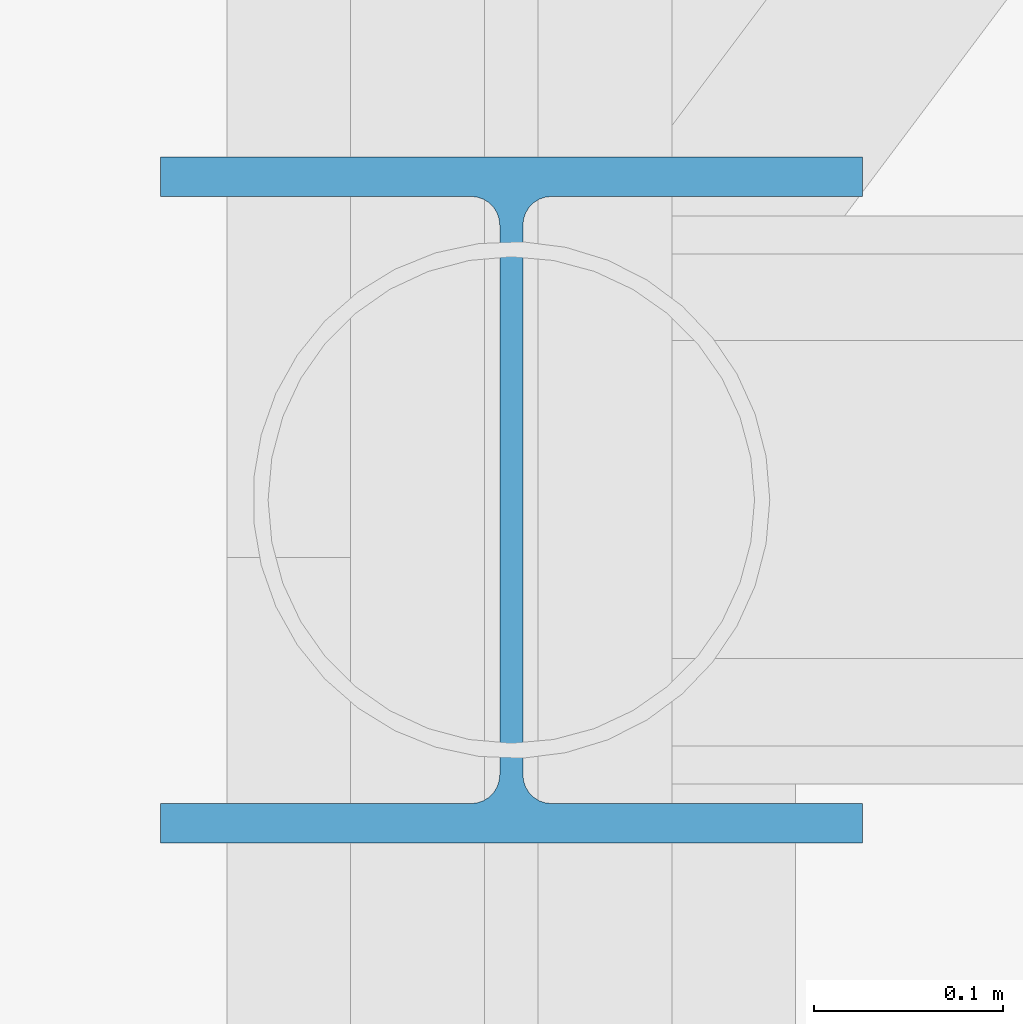
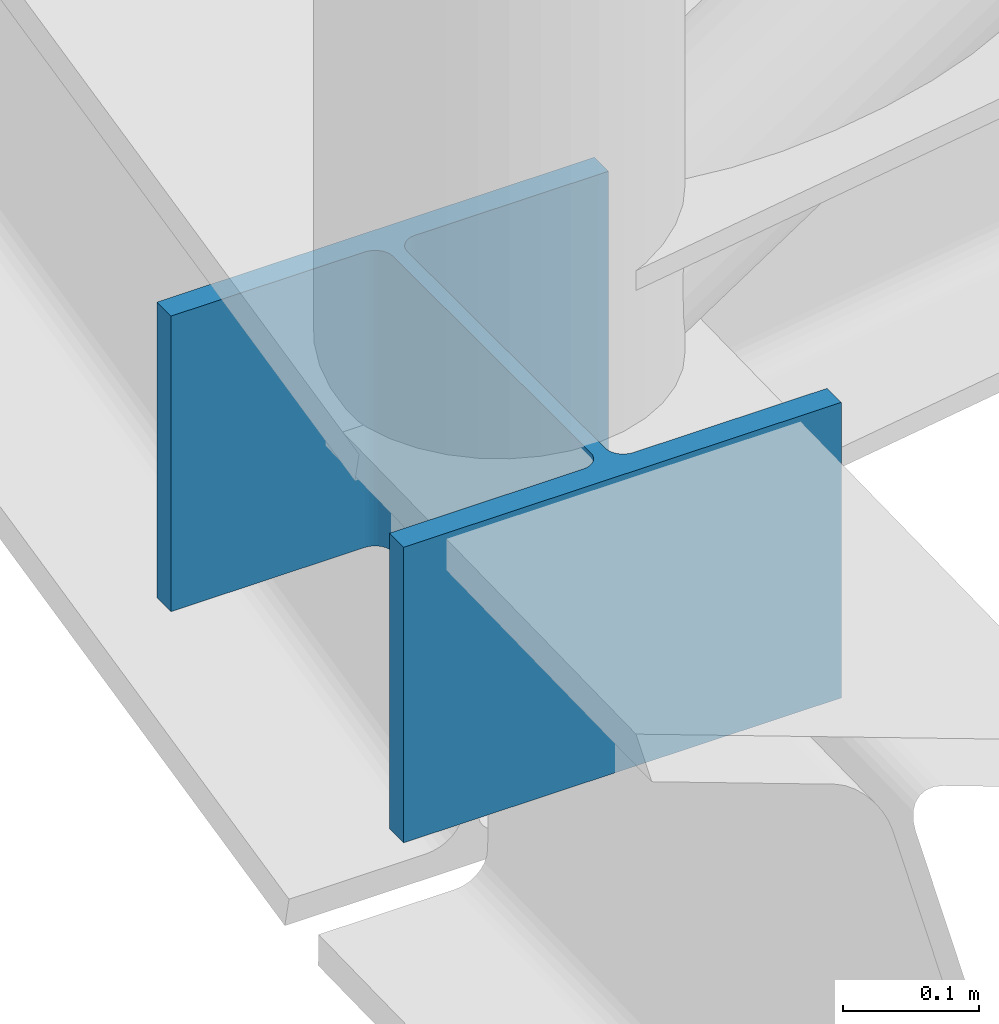
# One storey, part 15 of 262: 1 column.
"""IFC4 building model written with IfcOpenShell, lengths in metres."""

from ifc_helpers import new_model, si_unit, derived_unit, direction, frame, origin, origin_2d, place, context, subcontext, project, spatial, i_section, extrude, material, material_profile, profile_set, type_object, element, save


model = new_model("IFC4")

# Units and contexts
model_context = context("Model", 3, precision=1e-05, world=origin(), true_north=direction((0.0, 1.0)))
body_context = subcontext(model_context, "Body", "Model", "MODEL_VIEW")
ifc_project = project(units=[si_unit("LENGTHUNIT", "METRE"), si_unit("AREAUNIT", "SQUARE_METRE"), si_unit("VOLUMEUNIT", "CUBIC_METRE"), si_unit("PLANEANGLEUNIT", "RADIAN"), si_unit("MASSUNIT", "GRAM", prefix="KILO"), derived_unit("THERMALTRANSMITTANCEUNIT", [(si_unit("POWERUNIT", "WATT"), 1), (si_unit("LENGTHUNIT", "METRE"), -2), (si_unit("THERMODYNAMICTEMPERATUREUNIT", "KELVIN"), -1)])], contexts=[model_context])

# Site, building, storey
site_placement = place(None, origin())
site = spatial("IfcSite", under=ifc_project, at=site_placement, CompositionType="ELEMENT")
building_placement = place(site_placement, origin())
building = spatial("IfcBuilding", under=site, at=building_placement, Name="Almenara Railside Exhibition Hall", CompositionType="ELEMENT")
storey_placement = place(building_placement, frame((0.0, 0.0, 21.699951171875)))
storey = spatial("IfcBuildingStorey", under=building, at=storey_placement, Name="RF", CompositionType="ELEMENT", Elevation=21.699951171875)

# Column
ifc_material = material(Name="Structural steel S355JR", Category="steel")
ifc_material_profile = material_profile(ifc_material, i_section(OverallWidth=0.37060546875, OverallDepth=0.362060546875, WebThickness=0.01220703125, FlangeThickness=0.020751953125, FilletRadius=0.01513671875, at=origin_2d()), Name="UC 356x368x153")
ifc_profile_set = profile_set([ifc_material_profile], Name="Structural steel S355JR")
column_type = type_object("IfcColumnType", Name="Steel Column UC 356x368x153 S355JR", PredefinedType="COLUMN", material=ifc_profile_set)
column_placement = place(storey_placement, frame((12.0, 108.0, -2.39990234375), z_axis=(0.0, 0.0, 1.0), x_axis=(1.0, 0.0, 0.0)))
element("IfcColumn", 1, at=column_placement, inside=storey, type_object=column_type, Name="V1 scroll portal column 6", PredefinedType="COLUMN", context=body_context, shape_type="SweptSolid", body=[
    extrude(i_section(OverallWidth=0.37060546875, OverallDepth=0.362060546875, WebThickness=0.01220703125, FlangeThickness=0.020751953125, FilletRadius=0.01513671875, at=origin_2d()), origin(), (0.0, 0.0, 1.0), 0.2646484375),
])

save(model, "model.ifc")
